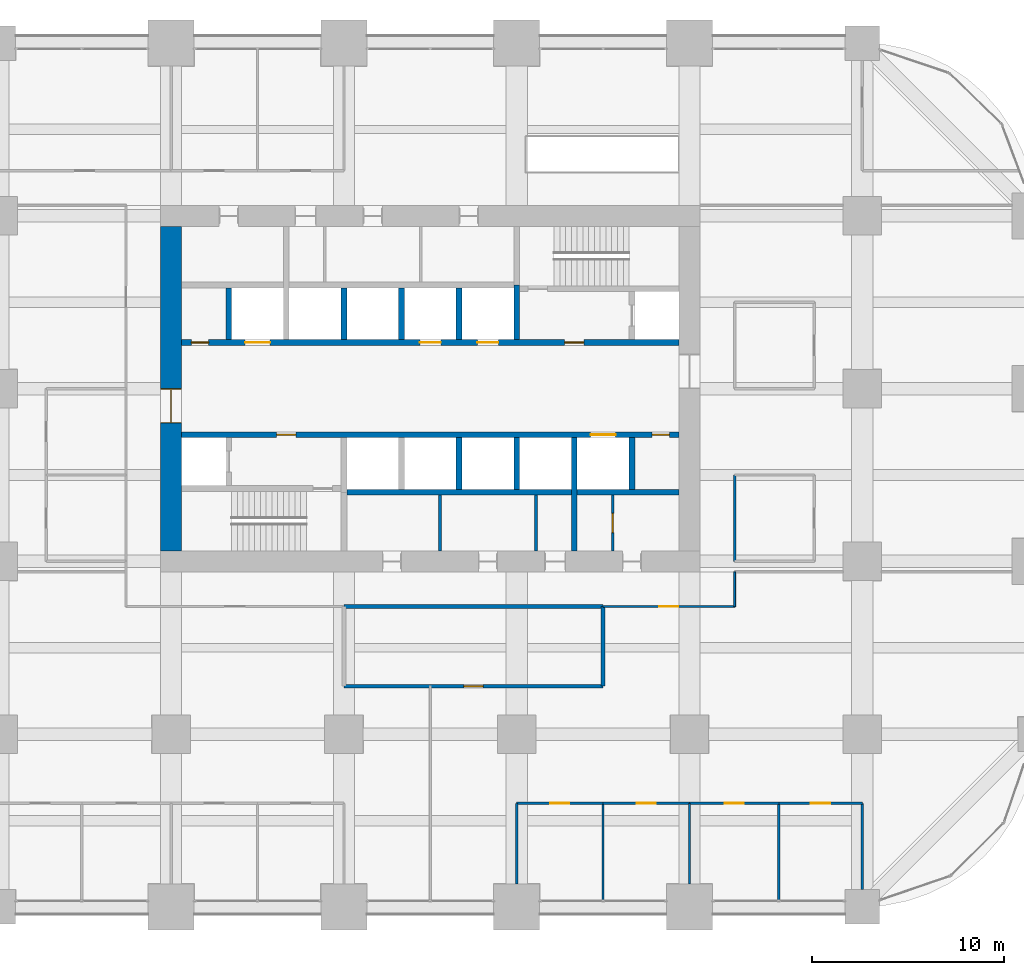
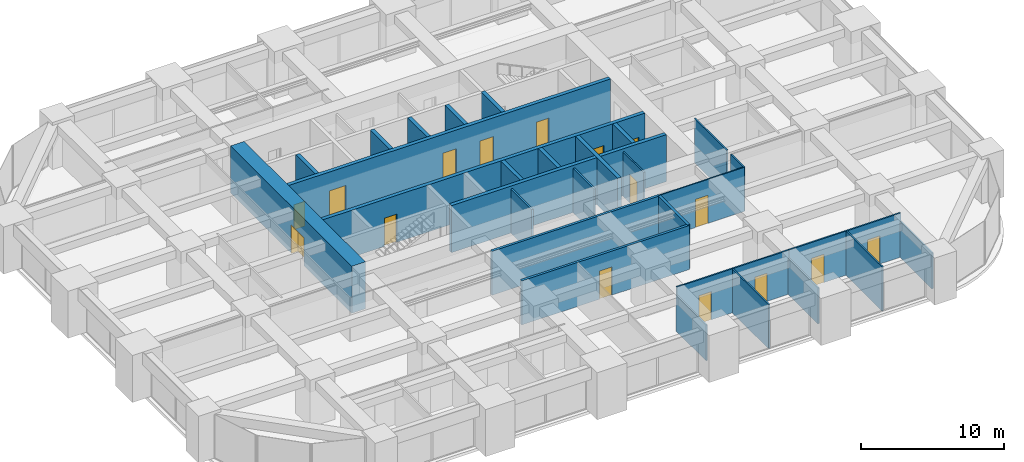
# One storey, part 37 of 41: 31 walls, 16 doors, 16 openings.
"""IFC4 building model written with IfcOpenShell, lengths in metres."""

from ifc_helpers import new_model, si_unit, direction, frame, frame_2d, origin, place, context, subcontext, project, spatial, rectangle, extrude, material, layer, layer_set, type_object, element, fill, save


model = new_model("IFC4")

# Units and contexts
model_context = context("Model", 3, precision=1e-05, world=origin(), true_north=direction((0.0, 1.0)))
body_context = subcontext(model_context, "Body", "Model", "MODEL_VIEW")
ifc_project = project(units=[si_unit("LENGTHUNIT", "METRE"), si_unit("AREAUNIT", "SQUARE_METRE"), si_unit("VOLUMEUNIT", "CUBIC_METRE"), si_unit("PLANEANGLEUNIT", "RADIAN"), si_unit("MASSUNIT", "GRAM", prefix="KILO")], contexts=[model_context])

# Site, building, storey
site_placement = place(None, origin())
site = spatial("IfcSite", under=ifc_project, at=site_placement, CompositionType="ELEMENT")
building_placement = place(site_placement, origin())
building = spatial("IfcBuilding", under=site, at=building_placement, Name="Zorevar Civic Tower", CompositionType="ELEMENT")
storey_placement = place(building_placement, frame((0.0, 0.0, 101.0)))
storey = spatial("IfcBuildingStorey", under=building, at=storey_placement, Name="L24", CompositionType="ELEMENT", Elevation=101.0)

# Wall, opening, door
ifc_material_1 = material(Name="Concrete blockwork", Category="masonry")
ifc_layer_1 = layer(ifc_material_1, 0.199951171875)
ifc_layer_set_1 = layer_set([ifc_layer_1], Name="Blockwork wall 200")
wall_type_1 = type_object("IfcWallType", Name="Blockwork wall 200", PredefinedType="SOLIDWALL", material=ifc_layer_set_1)
wall_1_placement = place(storey_placement, frame((27.0, 11.5, 0.0), z_axis=(0.0, 0.0, 1.0), x_axis=(1.0, 0.0, 0.0)))
wall_1 = element("IfcWall", 1, at=wall_1_placement, inside=storey, type_object=wall_type_1, Name="Blockwork wall 200 L24", PredefinedType="SOLIDWALL", context=body_context, shape_type="SweptSolid", body=[
    extrude(rectangle(XDim=13.5, YDim=0.199951171875, at=frame_2d((6.75, 0.0))), origin(), (0.0, 0.0, 1.0), 3.75),
])
opening_1_placement = place(wall_1_placement, frame((6.25, 0.0, 0.0)))
opening_1 = element("IfcOpeningElement", 2, at=opening_1_placement, cuts=wall_1, Name="Opening L24.25", PredefinedType="OPENING", context=body_context, shape_type="SweptSolid", body=[
    extrude(rectangle(XDim=1.0, YDim=2.39990234375, at=frame_2d((0.5, 1.199951171875))), frame((0.0, 0.10986328125, 0.0), z_axis=(0.0, -1.0, 0.0), x_axis=(1.0, 0.0, 0.0)), (0.0, 0.0, 1.0), 0.219970703125),
])
ifc_material_2 = material(Name="Steel door set", Category="steel")
door_type_1 = type_object("IfcDoorType", Name="Security door SD1 1000x2400", OperationType="SINGLE_SWING_LEFT", PredefinedType="DOOR", material=ifc_material_2)
door_1_placement = place(opening_1_placement, origin())
door_1 = element("IfcDoor", 3, at=door_1_placement, inside=storey, type_object=door_type_1, Name="Door L24 D1", OperationType="SINGLE_SWING_LEFT", OverallHeight=2.39990234375, OverallWidth=1.0, PredefinedType="DOOR", context=body_context, shape_type="SweptSolid", body=[
    extrude(rectangle(XDim=1.0, YDim=2.39990234375, at=frame_2d((0.5, 1.199951171875))), frame((0.0, 0.03515625, 0.0), z_axis=(0.0, -1.0, 0.0), x_axis=(1.0, 0.0, 0.0)), (0.0, 0.0, 1.0), 0.070068359375),
])
fill(opening_1, door_1)

# Walls
wall_2_placement = place(storey_placement, frame((27.0, 15.64990234375, 0.0), z_axis=(0.0, 0.0, 1.0), x_axis=(1.0, 0.0, 0.0)))
element("IfcWall", 4, at=wall_2_placement, inside=storey, type_object=wall_type_1, Name="Blockwork wall 200 L24", PredefinedType="SOLIDWALL", context=body_context, shape_type="SweptSolid", body=[
    extrude(rectangle(XDim=13.5, YDim=0.199951171875, at=frame_2d((6.75, 0.0))), origin(), (0.0, 0.0, 1.0), 3.75),
])
wall_3_placement = place(storey_placement, frame((40.5, 11.5, 0.0), z_axis=(0.0, 0.0, 1.0), x_axis=(0.0, 1.0, 0.0)))
element("IfcWall", 5, at=wall_3_placement, inside=storey, type_object=wall_type_1, Name="Blockwork wall 200 L24", PredefinedType="SOLIDWALL", context=body_context, shape_type="SweptSolid", body=[
    extrude(rectangle(XDim=4.14990234375, YDim=0.199951171875, at=frame_2d((2.074951171875, 0.0))), origin(), (0.0, 0.0, 1.0), 3.75),
])

# Wall, opening, door
ifc_material_3 = material(Name="Concrete C50/60", Category="concrete")
ifc_layer_2 = layer(ifc_material_3, 1.10009765625)
ifc_layer_set_2 = layer_set([ifc_layer_2], Name="Core wall 1100")
wall_type_2 = type_object("IfcWallType", Name="Core wall 1100", PredefinedType="SHEAR", material=ifc_layer_set_2)
wall_4_placement = place(storey_placement, frame((18.0, 35.449951171875, 0.0), z_axis=(0.0, 0.0, 1.0), x_axis=(0.0, -1.0, 0.0)))
wall_4 = element("IfcWall", 6, at=wall_4_placement, inside=storey, type_object=wall_type_2, Name="Core wall W L24", PredefinedType="SHEAR", context=body_context, shape_type="SweptSolid", body=[
    extrude(rectangle(XDim=16.89990234375, YDim=1.10009765625, at=frame_2d((8.449951171875, 0.0))), origin(), (0.0, 0.0, 1.0), 4.0),
])
opening_2_placement = place(wall_4_placement, frame((8.449951171875, 0.0, 0.0)))
opening_2 = element("IfcOpeningElement", 7, at=opening_2_placement, cuts=wall_4, Name="Opening L24.01", PredefinedType="OPENING", context=body_context, shape_type="SweptSolid", body=[
    extrude(rectangle(XDim=1.800048828125, YDim=2.39990234375, at=frame_2d((0.89990234375, 1.199951171875))), frame((0.0, 0.56005859375, 0.0), z_axis=(0.0, -1.0, 0.0), x_axis=(1.0, 0.0, 0.0)), (0.0, 0.0, 1.0), 1.1201171875),
])
ifc_material_4 = material(Name="Steel door set", Category="steel")
door_type_2 = type_object("IfcDoorType", Name="Fire door FD2 1800x2400", OperationType="DOUBLE_DOOR_DOUBLE_SWING", PredefinedType="DOOR", material=ifc_material_4)
door_2_placement = place(opening_2_placement, origin())
door_2 = element("IfcDoor", 8, at=door_2_placement, inside=storey, type_object=door_type_2, Name="Door L24 00", OperationType="DOUBLE_DOOR_DOUBLE_SWING", OverallHeight=2.39990234375, OverallWidth=1.800048828125, PredefinedType="DOOR", context=body_context, shape_type="SweptSolid", body=[
    extrude(rectangle(XDim=1.800048828125, YDim=2.39990234375, at=frame_2d((0.89990234375, 1.199951171875))), frame((0.0, 0.030029296875, 0.0), z_axis=(0.0, -1.0, 0.0), x_axis=(1.0, 0.0, 0.0)), (0.0, 0.0, 1.0), 0.06005859375),
    extrude(rectangle(XDim=0.04, YDim=2.39990234375, at=frame_2d((0.02001953125, 1.199951171875))), frame((0.0, 0.5498046875, 0.0), z_axis=(0.0, -1.0, 0.0), x_axis=(1.0, 0.0, 0.0)), (0.0, 0.0, 1.0), 1.099609375),
    extrude(rectangle(XDim=0.04, YDim=2.39990234375, at=frame_2d((1.780029296875, 1.199951171875))), frame((0.0, 0.5498046875, 0.0), z_axis=(0.0, -1.0, 0.0), x_axis=(1.0, 0.0, 0.0)), (0.0, 0.0, 1.0), 1.099609375),
    extrude(rectangle(XDim=1.800048828125, YDim=0.04, at=frame_2d((0.89990234375, 2.3798828125))), frame((0.0, 0.5498046875, 0.0), z_axis=(0.0, -1.0, 0.0), x_axis=(1.0, 0.0, 0.0)), (0.0, 0.0, 1.0), 1.099609375),
])
fill(opening_2, door_2)

ifc_material_5 = material(Name="Laminated glass in black aluminium frame", Category="aluminium")
ifc_layer_3 = layer(ifc_material_5, 0.10009765625)
ifc_layer_set_3 = layer_set([ifc_layer_3], Name="Glazed partition 100")
wall_type_3 = type_object("IfcWallType", Name="Glazed partition 100", PredefinedType="PARTITIONING", material=ifc_layer_set_3)
wall_5_placement = place(storey_placement, frame((40.5, 15.64990234375, 0.0), z_axis=(0.0, 0.0, 1.0), x_axis=(1.0, 0.0, 0.0)))
wall_5 = element("IfcWall", 9, at=wall_5_placement, inside=storey, type_object=wall_type_3, Name="Glazed partition 100 L24", PredefinedType="PARTITIONING", context=body_context, shape_type="SweptSolid", body=[
    extrude(rectangle(XDim=6.85009765625, YDim=0.10009765625, at=frame_2d((3.425048828125, 0.0))), origin(), (0.0, 0.0, 1.0), 3.75),
])
opening_3_placement = place(wall_5_placement, frame((2.925048828125, 0.0, 0.0)))
opening_3 = element("IfcOpeningElement", 10, at=opening_3_placement, cuts=wall_5, Name="Opening L24.27", PredefinedType="OPENING", context=body_context, shape_type="SweptSolid", body=[
    extrude(rectangle(XDim=1.0, YDim=2.39990234375, at=frame_2d((0.5, 1.199951171875))), frame((0.0, 0.06005859375, 0.0), z_axis=(0.0, -1.0, 0.0), x_axis=(1.0, 0.0, 0.0)), (0.0, 0.0, 1.0), 0.1201171875),
])
ifc_material_6 = material(Name="Timber door set", Category="wood")
door_type_3 = type_object("IfcDoorType", Name="Glazed door GD1 1000x2400", OperationType="SINGLE_SWING_LEFT", PredefinedType="DOOR", material=ifc_material_6)
door_3_placement = place(opening_3_placement, origin())
door_3 = element("IfcDoor", 11, at=door_3_placement, inside=storey, type_object=door_type_3, Name="Door L24 D1", OperationType="SINGLE_SWING_LEFT", OverallHeight=2.39990234375, OverallWidth=1.0, PredefinedType="DOOR", context=body_context, shape_type="SweptSolid", body=[
    extrude(rectangle(XDim=1.0, YDim=2.39990234375, at=frame_2d((0.5, 1.199951171875))), frame((0.0, 0.02001953125, 0.0), z_axis=(0.0, -1.0, 0.0), x_axis=(1.0, 0.0, 0.0)), (0.0, 0.0, 1.0), 0.0400390625),
])
fill(opening_3, door_3)

# Wall
wall_6_placement = place(storey_placement, frame((47.35009765625, 15.64990234375, 0.0), z_axis=(0.0, 0.0, 1.0), x_axis=(0.0, 1.0, 0.0)))
element("IfcWall", 12, at=wall_6_placement, inside=storey, type_object=wall_type_3, Name="Glazed partition 100 L24", PredefinedType="PARTITIONING", context=body_context, shape_type="SweptSolid", body=[
    extrude(rectangle(XDim=1.800048828125, YDim=0.10009765625, at=frame_2d((0.89990234375, 0.0))), origin(), (0.0, 0.0, 1.0), 3.75),
])

# Wall, openings, doors
ifc_material_7 = material(Name="Concrete C40/50", Category="concrete")
ifc_layer_4 = layer(ifc_material_7, 0.300048828125)
ifc_layer_set_4 = layer_set([ifc_layer_4], Name="Inner core wall 300")
wall_type_4 = type_object("IfcWallType", Name="Inner core wall 300", PredefinedType="SHEAR", material=ifc_layer_set_4)
wall_7_placement = place(storey_placement, frame((18.550048828125, 24.60009765625, 0.0), z_axis=(0.0, 0.0, 1.0), x_axis=(1.0, 0.0, 0.0)))
wall_7 = element("IfcWall", 13, at=wall_7_placement, inside=storey, type_object=wall_type_4, Name="Inner core wall S03 L24", PredefinedType="SHEAR", context=body_context, shape_type="SweptSolid", body=[
    extrude(rectangle(XDim=25.89990234375, YDim=0.300048828125, at=frame_2d((12.949951171875, 0.0))), origin(), (0.0, 0.0, 1.0), 4.0),
])
opening_4_placement = place(wall_7_placement, frame((4.949951171875, 0.0, 0.0)))
opening_4 = element("IfcOpeningElement", 14, at=opening_4_placement, cuts=wall_7, Name="Opening L24.13", PredefinedType="OPENING", context=body_context, shape_type="SweptSolid", body=[
    extrude(rectangle(XDim=1.0, YDim=2.39990234375, at=frame_2d((0.5, 1.199951171875))), frame((0.0, 0.159912109375, 0.0), z_axis=(0.0, -1.0, 0.0), x_axis=(1.0, 0.0, 0.0)), (0.0, 0.0, 1.0), 0.320068359375),
])
opening_5_placement = place(wall_7_placement, frame((24.5, 0.0, 0.0)))
opening_5 = element("IfcOpeningElement", 15, at=opening_5_placement, cuts=wall_7, Name="Opening L24.15", PredefinedType="OPENING", context=body_context, shape_type="SweptSolid", body=[
    extrude(rectangle(XDim=0.89990234375, YDim=2.10009765625, at=frame_2d((0.449951171875, 1.050048828125))), frame((0.0, 0.159912109375, 0.0), z_axis=(0.0, -1.0, 0.0), x_axis=(1.0, 0.0, 0.0)), (0.0, 0.0, 1.0), 0.320068359375),
])
opening_6_placement = place(wall_7_placement, frame((21.300048828125, 0.0, 0.0)))
opening_6 = element("IfcOpeningElement", 16, at=opening_6_placement, cuts=wall_7, Name="Opening L24.SL1", PredefinedType="OPENING", context=body_context, shape_type="SweptSolid", body=[
    extrude(rectangle(XDim=1.300048828125, YDim=2.39990234375, at=frame_2d((0.64990234375, 1.199951171875))), frame((0.0, 0.159912109375, 0.0), z_axis=(0.0, -1.0, 0.0), x_axis=(1.0, 0.0, 0.0)), (0.0, 0.0, 1.0), 0.320068359375),
])
ifc_material_8 = material(Name="Steel door set", Category="steel")
door_type_4 = type_object("IfcDoorType", Name="Fire door FD1 1000x2400", OperationType="SINGLE_SWING_LEFT", PredefinedType="DOOR", material=ifc_material_8)
door_4_placement = place(opening_4_placement, origin())
door_4 = element("IfcDoor", 17, at=door_4_placement, inside=storey, type_object=door_type_4, Name="Door L24 12", OperationType="SINGLE_SWING_RIGHT", OverallHeight=2.39990234375, OverallWidth=1.0, PredefinedType="DOOR", context=body_context, shape_type="SweptSolid", body=[
    extrude(rectangle(XDim=1.0, YDim=2.39990234375, at=frame_2d((0.5, 1.199951171875))), frame((0.0, 0.030029296875, 0.0), z_axis=(0.0, -1.0, 0.0), x_axis=(1.0, 0.0, 0.0)), (0.0, 0.0, 1.0), 0.06005859375),
])
fill(opening_4, door_4)
ifc_material_9 = material(Name="Steel door set", Category="steel")
door_type_5 = type_object("IfcDoorType", Name="Landing door LD2 1300x2400", OperationType="DOUBLE_DOOR_SLIDING", PredefinedType="DOOR", material=ifc_material_9)
door_5_placement = place(opening_6_placement, origin())
door_5 = element("IfcDoor", 18, at=door_5_placement, inside=storey, type_object=door_type_5, Name="Landing door SL1 L24", OperationType="DOUBLE_DOOR_SLIDING", OverallHeight=2.39990234375, OverallWidth=1.300048828125, PredefinedType="DOOR", context=body_context, shape_type="SweptSolid", body=[
    extrude(rectangle(XDim=1.300048828125, YDim=2.39990234375, at=frame_2d((0.64990234375, 1.199951171875))), frame((0.0, 0.02001953125, 0.0), z_axis=(0.0, -1.0, 0.0), x_axis=(1.0, 0.0, 0.0)), (0.0, 0.0, 1.0), 0.0400390625),
])
fill(opening_6, door_5)
ifc_material_10 = material(Name="Steel door set", Category="steel")
door_type_6 = type_object("IfcDoorType", Name="Riser door RD1 900x2100", OperationType="SINGLE_SWING_LEFT", PredefinedType="DOOR", material=ifc_material_10)
door_6_placement = place(opening_5_placement, origin())
door_6 = element("IfcDoor", 19, at=door_6_placement, inside=storey, type_object=door_type_6, Name="Door L24 14", OperationType="SINGLE_SWING_RIGHT", OverallHeight=2.10009765625, OverallWidth=0.89990234375, PredefinedType="DOOR", context=body_context, shape_type="SweptSolid", body=[
    extrude(rectangle(XDim=0.89990234375, YDim=2.10009765625, at=frame_2d((0.449951171875, 1.050048828125))), frame((0.0, 0.030029296875, 0.0), z_axis=(0.0, -1.0, 0.0), x_axis=(1.0, 0.0, 0.0)), (0.0, 0.0, 1.0), 0.06005859375),
])
fill(opening_5, door_6)

wall_8_placement = place(storey_placement, frame((18.550048828125, 29.39990234375, 0.0), z_axis=(0.0, 0.0, 1.0), x_axis=(1.0, 0.0, 0.0)))
wall_8 = element("IfcWall", 20, at=wall_8_placement, inside=storey, type_object=wall_type_4, Name="Inner core wall N03 L24", PredefinedType="SHEAR", context=body_context, shape_type="SweptSolid", body=[
    extrude(rectangle(XDim=25.89990234375, YDim=0.300048828125, at=frame_2d((12.949951171875, 0.0))), origin(), (0.0, 0.0, 1.0), 4.0),
])
opening_7_placement = place(wall_8_placement, frame((19.949951171875, 0.0, 0.0)))
opening_7 = element("IfcOpeningElement", 21, at=opening_7_placement, cuts=wall_8, Name="Opening L24.14", PredefinedType="OPENING", context=body_context, shape_type="SweptSolid", body=[
    extrude(rectangle(XDim=1.0, YDim=2.39990234375, at=frame_2d((0.5, 1.199951171875))), frame((0.0, 0.159912109375, 0.0), z_axis=(0.0, -1.0, 0.0), x_axis=(1.0, 0.0, 0.0)), (0.0, 0.0, 1.0), 0.320068359375),
])
opening_8_placement = place(wall_8_placement, frame((0.5, 0.0, 0.0)))
opening_8 = element("IfcOpeningElement", 22, at=opening_8_placement, cuts=wall_8, Name="Opening L24.16", PredefinedType="OPENING", context=body_context, shape_type="SweptSolid", body=[
    extrude(rectangle(XDim=0.89990234375, YDim=2.10009765625, at=frame_2d((0.449951171875, 1.050048828125))), frame((0.0, 0.159912109375, 0.0), z_axis=(0.0, -1.0, 0.0), x_axis=(1.0, 0.0, 0.0)), (0.0, 0.0, 1.0), 0.320068359375),
])
opening_9_placement = place(wall_8_placement, frame((15.39990234375, 0.0, 0.0)))
opening_9 = element("IfcOpeningElement", 23, at=opening_9_placement, cuts=wall_8, Name="Opening L24.LM1", PredefinedType="OPENING", context=body_context, shape_type="SweptSolid", body=[
    extrude(rectangle(XDim=1.10009765625, YDim=2.39990234375, at=frame_2d((0.550048828125, 1.199951171875))), frame((0.0, 0.159912109375, 0.0), z_axis=(0.0, -1.0, 0.0), x_axis=(1.0, 0.0, 0.0)), (0.0, 0.0, 1.0), 0.320068359375),
])
opening_10_placement = place(wall_8_placement, frame((12.39990234375, 0.0, 0.0)))
opening_10 = element("IfcOpeningElement", 24, at=opening_10_placement, cuts=wall_8, Name="Opening L24.LM2", PredefinedType="OPENING", context=body_context, shape_type="SweptSolid", body=[
    extrude(rectangle(XDim=1.10009765625, YDim=2.39990234375, at=frame_2d((0.550048828125, 1.199951171875))), frame((0.0, 0.159912109375, 0.0), z_axis=(0.0, -1.0, 0.0), x_axis=(1.0, 0.0, 0.0)), (0.0, 0.0, 1.0), 0.320068359375),
])
opening_11_placement = place(wall_8_placement, frame((3.300048828125, 0.0, 0.0)))
opening_11 = element("IfcOpeningElement", 25, at=opening_11_placement, cuts=wall_8, Name="Opening L24.SL2", PredefinedType="OPENING", context=body_context, shape_type="SweptSolid", body=[
    extrude(rectangle(XDim=1.300048828125, YDim=2.39990234375, at=frame_2d((0.64990234375, 1.199951171875))), frame((0.0, 0.159912109375, 0.0), z_axis=(0.0, -1.0, 0.0), x_axis=(1.0, 0.0, 0.0)), (0.0, 0.0, 1.0), 0.320068359375),
])
door_7_placement = place(opening_7_placement, origin())
door_7 = element("IfcDoor", 26, at=door_7_placement, inside=storey, type_object=door_type_4, Name="Door L24 13", OperationType="SINGLE_SWING_RIGHT", OverallHeight=2.39990234375, OverallWidth=1.0, PredefinedType="DOOR", context=body_context, shape_type="SweptSolid", body=[
    extrude(rectangle(XDim=1.0, YDim=2.39990234375, at=frame_2d((0.5, 1.199951171875))), frame((0.0, 0.030029296875, 0.0), z_axis=(0.0, -1.0, 0.0), x_axis=(1.0, 0.0, 0.0)), (0.0, 0.0, 1.0), 0.06005859375),
])
fill(opening_7, door_7)
ifc_material_11 = material(Name="Steel door set", Category="steel")
door_type_7 = type_object("IfcDoorType", Name="Landing door LD1 1100x2400", OperationType="DOUBLE_DOOR_SLIDING", PredefinedType="DOOR", material=ifc_material_11)
door_8_placement = place(opening_9_placement, origin())
door_8 = element("IfcDoor", 27, at=door_8_placement, inside=storey, type_object=door_type_7, Name="Landing door LM1 L24", OperationType="DOUBLE_DOOR_SLIDING", OverallHeight=2.39990234375, OverallWidth=1.10009765625, PredefinedType="DOOR", context=body_context, shape_type="SweptSolid", body=[
    extrude(rectangle(XDim=1.10009765625, YDim=2.39990234375, at=frame_2d((0.550048828125, 1.199951171875))), frame((0.0, 0.02001953125, 0.0), z_axis=(0.0, -1.0, 0.0), x_axis=(1.0, 0.0, 0.0)), (0.0, 0.0, 1.0), 0.0400390625),
])
fill(opening_9, door_8)
door_9_placement = place(opening_10_placement, origin())
door_9 = element("IfcDoor", 28, at=door_9_placement, inside=storey, type_object=door_type_7, Name="Landing door LM2 L24", OperationType="DOUBLE_DOOR_SLIDING", OverallHeight=2.39990234375, OverallWidth=1.10009765625, PredefinedType="DOOR", context=body_context, shape_type="SweptSolid", body=[
    extrude(rectangle(XDim=1.10009765625, YDim=2.39990234375, at=frame_2d((0.550048828125, 1.199951171875))), frame((0.0, 0.02001953125, 0.0), z_axis=(0.0, -1.0, 0.0), x_axis=(1.0, 0.0, 0.0)), (0.0, 0.0, 1.0), 0.0400390625),
])
fill(opening_10, door_9)
door_10_placement = place(opening_11_placement, origin())
door_10 = element("IfcDoor", 29, at=door_10_placement, inside=storey, type_object=door_type_5, Name="Landing door SL2 L24", OperationType="DOUBLE_DOOR_SLIDING", OverallHeight=2.39990234375, OverallWidth=1.300048828125, PredefinedType="DOOR", context=body_context, shape_type="SweptSolid", body=[
    extrude(rectangle(XDim=1.300048828125, YDim=2.39990234375, at=frame_2d((0.64990234375, 1.199951171875))), frame((0.0, 0.02001953125, 0.0), z_axis=(0.0, -1.0, 0.0), x_axis=(1.0, 0.0, 0.0)), (0.0, 0.0, 1.0), 0.0400390625),
])
fill(opening_11, door_10)
door_11_placement = place(opening_8_placement, origin())
door_11 = element("IfcDoor", 30, at=door_11_placement, inside=storey, type_object=door_type_6, Name="Door L24 15", OperationType="SINGLE_SWING_RIGHT", OverallHeight=2.10009765625, OverallWidth=0.89990234375, PredefinedType="DOOR", context=body_context, shape_type="SweptSolid", body=[
    extrude(rectangle(XDim=0.89990234375, YDim=2.10009765625, at=frame_2d((0.449951171875, 1.050048828125))), frame((0.0, 0.030029296875, 0.0), z_axis=(0.0, -1.0, 0.0), x_axis=(1.0, 0.0, 0.0)), (0.0, 0.0, 1.0), 0.06005859375),
])
fill(opening_8, door_11)

# Walls
wall_9_placement = place(storey_placement, frame((27.14990234375, 21.60009765625, 0.0), z_axis=(0.0, 0.0, 1.0), x_axis=(1.0, 0.0, 0.0)))
element("IfcWall", 31, at=wall_9_placement, inside=storey, type_object=wall_type_4, Name="Inner core wall S04 L24", PredefinedType="SHEAR", context=body_context, shape_type="SweptSolid", body=[
    extrude(rectangle(XDim=17.300048828125, YDim=0.300048828125, at=frame_2d((8.64990234375, 0.0))), origin(), (0.0, 0.0, 1.0), 4.0),
])
for number, where, z_axis, x_axis, name in (
    (32, (33.0, 29.550048828125, 0.0), (0.0, 0.0, 1.0), (0.0, 1.0, 0.0), "Inner core wall N05 L24"),
    (33, (33.0, 21.75, 0.0), (0.0, 0.0, 1.0), (0.0, 1.0, 0.0), "Inner core wall S06 L24"),
    (34, (30.0, 29.550048828125, 0.0), (0.0, 0.0, 1.0), (0.0, 1.0, 0.0), "Inner core wall N06 L24"),
    (35, (36.0, 21.75, 0.0), (0.0, 0.0, 1.0), (0.0, 1.0, 0.0), "Inner core wall S07 L24"),
    (36, (27.0, 29.550048828125, 0.0), (0.0, 0.0, 1.0), (0.0, 1.0, 0.0), "Inner core wall N07 L24"),
):
    element("IfcWall", number, at=place(storey_placement, frame(where, z_axis=z_axis, x_axis=x_axis)), inside=storey, type_object=wall_type_4, Name=name, PredefinedType="SHEAR", context=body_context, shape_type="SweptSolid", body=[
        extrude(rectangle(XDim=2.699951171875, YDim=0.300048828125, at=frame_2d((1.35009765625, 0.0))), origin(), (0.0, 0.0, 1.0), 4.0),
    ])
wall_10_placement = place(storey_placement, frame((39.0, 18.550048828125, 0.0), z_axis=(0.0, 0.0, 1.0), x_axis=(0.0, 1.0, 0.0)))
element("IfcWall", 37, at=wall_10_placement, inside=storey, type_object=wall_type_4, Name="Inner core wall S08 L24", PredefinedType="SHEAR", context=body_context, shape_type="SweptSolid", body=[
    extrude(rectangle(XDim=5.89990234375, YDim=0.300048828125, at=frame_2d((2.949951171875, 0.0))), origin(), (0.0, 0.0, 1.0), 4.0),
])
for number, where, z_axis, x_axis, name in (
    (38, (42.0, 21.75, 0.0), (0.0, 0.0, 1.0), (0.0, 1.0, 0.0), "Inner core wall S09 L24"),
    (39, (21.0, 29.550048828125, 0.0), (0.0, 0.0, 1.0), (0.0, 1.0, 0.0), "Inner core wall N09 L24"),
):
    element("IfcWall", number, at=place(storey_placement, frame(where, z_axis=z_axis, x_axis=x_axis)), inside=storey, type_object=wall_type_4, Name=name, PredefinedType="SHEAR", context=body_context, shape_type="SweptSolid", body=[
        extrude(rectangle(XDim=2.699951171875, YDim=0.300048828125, at=frame_2d((1.35009765625, 0.0))), origin(), (0.0, 0.0, 1.0), 4.0),
    ])
wall_11_placement = place(storey_placement, frame((36.0, 29.550048828125, 0.0), z_axis=(0.0, 0.0, 1.0), x_axis=(0.0, 1.0, 0.0)))
element("IfcWall", 40, at=wall_11_placement, inside=storey, type_object=wall_type_4, Name="Inner core wall N10 L24", PredefinedType="SHEAR", context=body_context, shape_type="SweptSolid", body=[
    extrude(rectangle(XDim=2.849853515625, YDim=0.300048828125, at=frame_2d((1.4248046875, 0.0))), origin(), (0.0, 0.0, 1.0), 4.0),
])

# Wall, opening, door
ifc_material_12 = material(Name="Gypsum board on steel studs", Category="steel")
ifc_layer_5 = layer(ifc_material_12, 0.1201171875)
ifc_layer_set_5 = layer_set([ifc_layer_5], Name="Partition 120")
wall_type_5 = type_object("IfcWallType", Name="Partition 120", PredefinedType="PARTITIONING", material=ifc_layer_set_5)
wall_12_placement = place(storey_placement, frame((36.0, 5.39990234375, 0.0), z_axis=(0.0, 0.0, 1.0), x_axis=(1.0, 0.0, 0.0)))
wall_12 = element("IfcWall", 41, at=wall_12_placement, inside=storey, type_object=wall_type_5, Name="Partition 120 L24", PredefinedType="PARTITIONING", context=body_context, shape_type="SweptSolid", body=[
    extrude(rectangle(XDim=4.5, YDim=0.1201171875, at=frame_2d((2.25, 0.0))), origin(), (0.0, 0.0, 1.0), 3.75),
])
opening_12_placement = place(wall_12_placement, frame((1.75, 0.0, 0.0)))
opening_12 = element("IfcOpeningElement", 42, at=opening_12_placement, cuts=wall_12, Name="Opening L24.21", PredefinedType="OPENING", context=body_context, shape_type="SweptSolid", body=[
    extrude(rectangle(XDim=1.0, YDim=2.39990234375, at=frame_2d((0.5, 1.199951171875))), frame((0.0, 0.070068359375, 0.0), z_axis=(0.0, -1.0, 0.0), x_axis=(1.0, 0.0, 0.0)), (0.0, 0.0, 1.0), 0.14013671875),
])
ifc_material_13 = material(Name="Timber door set", Category="wood")
door_type_8 = type_object("IfcDoorType", Name="Door D1 1000x2400", OperationType="SINGLE_SWING_LEFT", PredefinedType="DOOR", material=ifc_material_13)
door_12_placement = place(opening_12_placement, origin())
door_12 = element("IfcDoor", 43, at=door_12_placement, inside=storey, type_object=door_type_8, Name="Door L24 D1", OperationType="SINGLE_SWING_RIGHT", OverallHeight=2.39990234375, OverallWidth=1.0, PredefinedType="DOOR", context=body_context, shape_type="SweptSolid", body=[
    extrude(rectangle(XDim=1.0, YDim=2.39990234375, at=frame_2d((0.5, 1.199951171875))), frame((0.0, 0.02490234375, 0.0), z_axis=(0.0, -1.0, 0.0), x_axis=(1.0, 0.0, 0.0)), (0.0, 0.0, 1.0), 0.050048828125),
])
fill(opening_12, door_12)

wall_13_placement = place(storey_placement, frame((40.5, 5.39990234375, 0.0), z_axis=(0.0, 0.0, 1.0), x_axis=(1.0, 0.0, 0.0)))
wall_13 = element("IfcWall", 44, at=wall_13_placement, inside=storey, type_object=wall_type_5, Name="Partition 120 L24", PredefinedType="PARTITIONING", context=body_context, shape_type="SweptSolid", body=[
    extrude(rectangle(XDim=4.5, YDim=0.1201171875, at=frame_2d((2.25, 0.0))), origin(), (0.0, 0.0, 1.0), 3.75),
])
opening_13_placement = place(wall_13_placement, frame((1.75, 0.0, 0.0)))
opening_13 = element("IfcOpeningElement", 45, at=opening_13_placement, cuts=wall_13, Name="Opening L24.22", PredefinedType="OPENING", context=body_context, shape_type="SweptSolid", body=[
    extrude(rectangle(XDim=1.0, YDim=2.39990234375, at=frame_2d((0.5, 1.199951171875))), frame((0.0, 0.070068359375, 0.0), z_axis=(0.0, -1.0, 0.0), x_axis=(1.0, 0.0, 0.0)), (0.0, 0.0, 1.0), 0.14013671875),
])
door_13_placement = place(opening_13_placement, origin())
door_13 = element("IfcDoor", 46, at=door_13_placement, inside=storey, type_object=door_type_8, Name="Door L24 D1", OperationType="SINGLE_SWING_RIGHT", OverallHeight=2.39990234375, OverallWidth=1.0, PredefinedType="DOOR", context=body_context, shape_type="SweptSolid", body=[
    extrude(rectangle(XDim=1.0, YDim=2.39990234375, at=frame_2d((0.5, 1.199951171875))), frame((0.0, 0.02490234375, 0.0), z_axis=(0.0, -1.0, 0.0), x_axis=(1.0, 0.0, 0.0)), (0.0, 0.0, 1.0), 0.050048828125),
])
fill(opening_13, door_13)

wall_14_placement = place(storey_placement, frame((45.0, 5.39990234375, 0.0), z_axis=(0.0, 0.0, 1.0), x_axis=(1.0, 0.0, 0.0)))
wall_14 = element("IfcWall", 47, at=wall_14_placement, inside=storey, type_object=wall_type_5, Name="Partition 120 L24", PredefinedType="PARTITIONING", context=body_context, shape_type="SweptSolid", body=[
    extrude(rectangle(XDim=4.64990234375, YDim=0.1201171875, at=frame_2d((2.324951171875, 0.0))), origin(), (0.0, 0.0, 1.0), 3.75),
])
opening_14_placement = place(wall_14_placement, frame((1.824951171875, 0.0, 0.0)))
opening_14 = element("IfcOpeningElement", 48, at=opening_14_placement, cuts=wall_14, Name="Opening L24.23", PredefinedType="OPENING", context=body_context, shape_type="SweptSolid", body=[
    extrude(rectangle(XDim=1.0, YDim=2.39990234375, at=frame_2d((0.5, 1.199951171875))), frame((0.0, 0.070068359375, 0.0), z_axis=(0.0, -1.0, 0.0), x_axis=(1.0, 0.0, 0.0)), (0.0, 0.0, 1.0), 0.14013671875),
])
door_14_placement = place(opening_14_placement, origin())
door_14 = element("IfcDoor", 49, at=door_14_placement, inside=storey, type_object=door_type_8, Name="Door L24 D1", OperationType="SINGLE_SWING_LEFT", OverallHeight=2.39990234375, OverallWidth=1.0, PredefinedType="DOOR", context=body_context, shape_type="SweptSolid", body=[
    extrude(rectangle(XDim=1.0, YDim=2.39990234375, at=frame_2d((0.5, 1.199951171875))), frame((0.0, 0.02490234375, 0.0), z_axis=(0.0, -1.0, 0.0), x_axis=(1.0, 0.0, 0.0)), (0.0, 0.0, 1.0), 0.050048828125),
])
fill(opening_14, door_14)

wall_15_placement = place(storey_placement, frame((49.64990234375, 5.39990234375, 0.0), z_axis=(0.0, 0.0, 1.0), x_axis=(1.0, 0.0, 0.0)))
wall_15 = element("IfcWall", 50, at=wall_15_placement, inside=storey, type_object=wall_type_5, Name="Partition 120 L24", PredefinedType="PARTITIONING", context=body_context, shape_type="SweptSolid", body=[
    extrude(rectangle(XDim=4.35009765625, YDim=0.1201171875, at=frame_2d((2.175048828125, 0.0))), origin(), (0.0, 0.0, 1.0), 3.75),
])
opening_15_placement = place(wall_15_placement, frame((1.675048828125, 0.0, 0.0)))
opening_15 = element("IfcOpeningElement", 51, at=opening_15_placement, cuts=wall_15, Name="Opening L24.24", PredefinedType="OPENING", context=body_context, shape_type="SweptSolid", body=[
    extrude(rectangle(XDim=1.0, YDim=2.39990234375, at=frame_2d((0.5, 1.199951171875))), frame((0.0, 0.070068359375, 0.0), z_axis=(0.0, -1.0, 0.0), x_axis=(1.0, 0.0, 0.0)), (0.0, 0.0, 1.0), 0.14013671875),
])
door_15_placement = place(opening_15_placement, origin())
door_15 = element("IfcDoor", 52, at=door_15_placement, inside=storey, type_object=door_type_8, Name="Door L24 D1", OperationType="SINGLE_SWING_LEFT", OverallHeight=2.39990234375, OverallWidth=1.0, PredefinedType="DOOR", context=body_context, shape_type="SweptSolid", body=[
    extrude(rectangle(XDim=1.0, YDim=2.39990234375, at=frame_2d((0.5, 1.199951171875))), frame((0.0, 0.02490234375, 0.0), z_axis=(0.0, -1.0, 0.0), x_axis=(1.0, 0.0, 0.0)), (0.0, 0.0, 1.0), 0.050048828125),
])
fill(opening_15, door_15)

# Walls
wall_16_placement = place(storey_placement, frame((36.0, 1.199951171875, 0.0), z_axis=(0.0, 0.0, 1.0), x_axis=(0.0, 1.0, 0.0)))
element("IfcWall", 53, at=wall_16_placement, inside=storey, type_object=wall_type_5, Name="Partition 120 L24", PredefinedType="PARTITIONING", context=body_context, shape_type="SweptSolid", body=[
    extrude(rectangle(XDim=4.199951171875, YDim=0.1201171875, at=frame_2d((2.10009765625, 0.0))), origin(), (0.0, 0.0, 1.0), 3.050048828125),
])
wall_17_placement = place(storey_placement, frame((40.5, 0.31005859375, 0.0), z_axis=(0.0, 0.0, 1.0), x_axis=(0.0, 1.0, 0.0)))
element("IfcWall", 54, at=wall_17_placement, inside=storey, type_object=wall_type_5, Name="Partition 120 L24", PredefinedType="PARTITIONING", context=body_context, shape_type="SweptSolid", body=[
    extrude(rectangle(XDim=5.08984375, YDim=0.1201171875, at=frame_2d((2.544921875, 0.0))), origin(), (0.0, 0.0, 1.0), 3.75),
])
wall_18_placement = place(storey_placement, frame((45.0, 1.199951171875, 0.0), z_axis=(0.0, 0.0, 1.0), x_axis=(0.0, 1.0, 0.0)))
element("IfcWall", 55, at=wall_18_placement, inside=storey, type_object=wall_type_5, Name="Partition 120 L24", PredefinedType="PARTITIONING", context=body_context, shape_type="SweptSolid", body=[
    extrude(rectangle(XDim=4.199951171875, YDim=0.1201171875, at=frame_2d((2.10009765625, 0.0))), origin(), (0.0, 0.0, 1.0), 3.050048828125),
])
wall_19_placement = place(storey_placement, frame((47.35009765625, 18.0, 0.0), z_axis=(0.0, 0.0, 1.0), x_axis=(0.0, 1.0, 0.0)))
element("IfcWall", 56, at=wall_19_placement, inside=storey, type_object=wall_type_5, Name="Partition 120 L24", PredefinedType="PARTITIONING", context=body_context, shape_type="SweptSolid", body=[
    extrude(rectangle(XDim=4.5, YDim=0.1201171875, at=frame_2d((2.25, 0.0))), origin(), (0.0, 0.0, 1.0), 3.75),
])
wall_20_placement = place(storey_placement, frame((49.64990234375, 0.31005859375, 0.0), z_axis=(0.0, 0.0, 1.0), x_axis=(0.0, 1.0, 0.0)))
element("IfcWall", 57, at=wall_20_placement, inside=storey, type_object=wall_type_5, Name="Partition 120 L24", PredefinedType="PARTITIONING", context=body_context, shape_type="SweptSolid", body=[
    extrude(rectangle(XDim=5.08984375, YDim=0.1201171875, at=frame_2d((2.544921875, 0.0))), origin(), (0.0, 0.0, 1.0), 3.75),
])
wall_21_placement = place(storey_placement, frame((54.0, 0.89990234375, 0.0), z_axis=(0.0, 0.0, 1.0), x_axis=(0.0, 1.0, 0.0)))
element("IfcWall", 58, at=wall_21_placement, inside=storey, type_object=wall_type_5, Name="Partition 120 L24", PredefinedType="PARTITIONING", context=body_context, shape_type="SweptSolid", body=[
    extrude(rectangle(XDim=4.5, YDim=0.1201171875, at=frame_2d((2.25, 0.0))), origin(), (0.0, 0.0, 1.0), 3.050048828125),
])

# Wall, opening, door
wall_22_placement = place(storey_placement, frame((41.0, 18.550048828125, 0.0), z_axis=(0.0, 0.0, 1.0), x_axis=(0.0, 1.0, 0.0)))
wall_22 = element("IfcWall", 59, at=wall_22_placement, inside=storey, type_object=wall_type_5, Name="Partition L24", PredefinedType="PARTITIONING", context=body_context, shape_type="SweptSolid", body=[
    extrude(rectangle(XDim=2.89990234375, YDim=0.1201171875, at=frame_2d((1.449951171875, 0.0))), origin(), (0.0, 0.0, 1.0), 3.75),
])
opening_16_placement = place(wall_22_placement, frame((0.949951171875, 0.0, 0.0)))
opening_16 = element("IfcOpeningElement", 60, at=opening_16_placement, cuts=wall_22, Name="Opening L24.37", PredefinedType="OPENING", context=body_context, shape_type="SweptSolid", body=[
    extrude(rectangle(XDim=1.0, YDim=2.39990234375, at=frame_2d((0.5, 1.199951171875))), frame((0.0, 0.070068359375, 0.0), z_axis=(0.0, -1.0, 0.0), x_axis=(1.0, 0.0, 0.0)), (0.0, 0.0, 1.0), 0.14013671875),
])
door_16_placement = place(opening_16_placement, origin())
door_16 = element("IfcDoor", 61, at=door_16_placement, inside=storey, type_object=door_type_4, Name="Door L24 ES", OperationType="SINGLE_SWING_RIGHT", OverallHeight=2.39990234375, OverallWidth=1.0, PredefinedType="DOOR", context=body_context, shape_type="SweptSolid", body=[
    extrude(rectangle(XDim=1.0, YDim=2.39990234375, at=frame_2d((0.5, 1.199951171875))), frame((0.0, 0.030029296875, 0.0), z_axis=(0.0, -1.0, 0.0), x_axis=(1.0, 0.0, 0.0)), (0.0, 0.0, 1.0), 0.06005859375),
])
fill(opening_16, door_16)

# Walls
ifc_material_14 = material(Name="Gypsum board on steel studs, moisture resistant", Category="steel")
ifc_layer_6 = layer(ifc_material_14, 0.14990234375)
ifc_layer_set_6 = layer_set([ifc_layer_6], Name="WC partition 150")
wall_type_6 = type_object("IfcWallType", Name="WC partition 150", PredefinedType="PARTITIONING", material=ifc_layer_set_6)
for number, where, z_axis, x_axis, name in (
    (62, (32.0, 18.550048828125, 0.0), (0.0, 0.0, 1.0), (0.0, 1.0, 0.0), "WC partition L24"),
    (63, (37.0, 18.550048828125, 0.0), (0.0, 0.0, 1.0), (0.0, 1.0, 0.0), "WC partition L24"),
):
    element("IfcWall", number, at=place(storey_placement, frame(where, z_axis=z_axis, x_axis=x_axis)), inside=storey, type_object=wall_type_6, Name=name, PredefinedType="PARTITIONING", context=body_context, shape_type="SweptSolid", body=[
        extrude(rectangle(XDim=2.89990234375, YDim=0.14990234375, at=frame_2d((1.449951171875, 0.0))), origin(), (0.0, 0.0, 1.0), 3.75),
    ])

save(model, "model.ifc")
